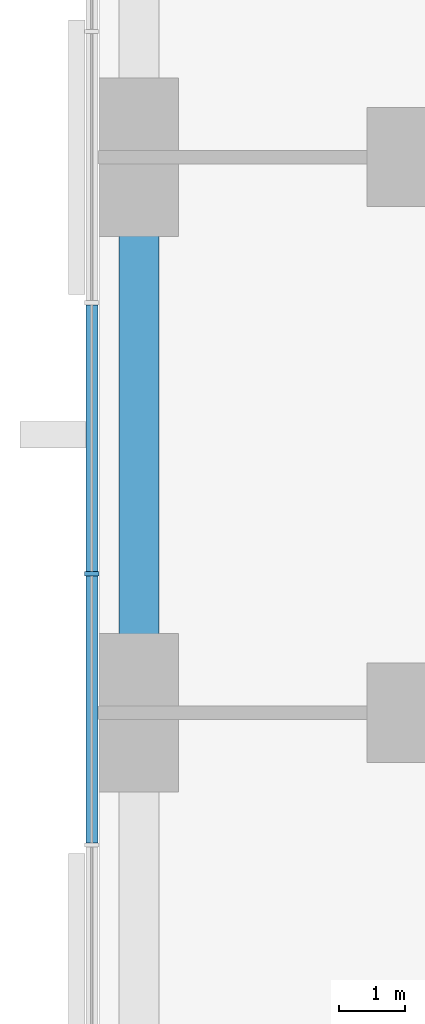
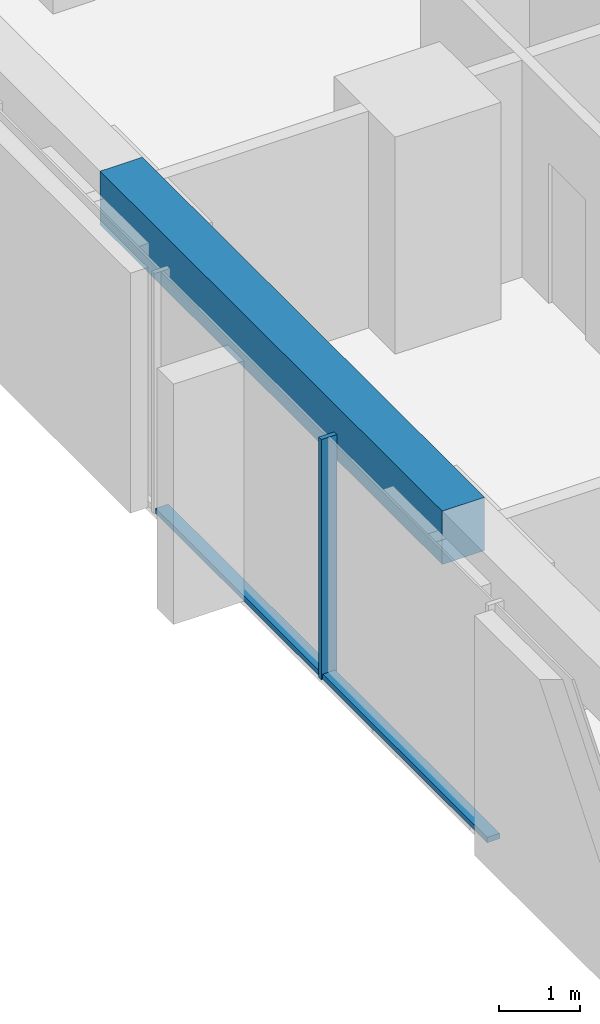
# One storey, part 3 of 14: 3 members, 1 beam, 1 element without a shape of its own.
"""IFC4 building model written with IfcOpenShell, lengths in metres."""

from ifc_helpers import new_model, si_unit, direction, frame, origin, origin_2d, place, context, subcontext, project, spatial, rectangle, extrude, material, material_profile, profile_set, type_object, element, aggregate, save


model = new_model("IFC4")

# Units and contexts
model_context = context("Model", 3, precision=1e-05, world=origin(), true_north=direction((0.0, 1.0)))
body_context = subcontext(model_context, "Body", "Model", "MODEL_VIEW")
ifc_project = project(units=[si_unit("LENGTHUNIT", "METRE"), si_unit("AREAUNIT", "SQUARE_METRE"), si_unit("VOLUMEUNIT", "CUBIC_METRE"), si_unit("PLANEANGLEUNIT", "RADIAN"), si_unit("MASSUNIT", "GRAM", prefix="KILO")], contexts=[model_context])

# Site, building, storey
site_placement = place(None, origin())
site = spatial("IfcSite", under=ifc_project, at=site_placement, CompositionType="ELEMENT")
building_placement = place(site_placement, origin())
building = spatial("IfcBuilding", under=site, at=building_placement, Name="Dunama Terrace Hotel", CompositionType="ELEMENT")
storey_placement = place(building_placement, frame((0.0, 0.0, 122.39990234375)))
storey = spatial("IfcBuildingStorey", under=building, at=storey_placement, Name="L31", CompositionType="ELEMENT", Elevation=122.39990234375)

# Curtain wall, members
ifc_material_1 = material(Name="Aluminium curtain wall system", Category="aluminium")
curtain_wall_type = type_object("IfcCurtainWallType", Name="Unitised fritted glass wall CW-B", PredefinedType="NOTDEFINED", material=ifc_material_1)
curtain_wall_placement = place(storey_placement, origin())
curtain_wall = element("IfcCurtainWall", 1, at=curtain_wall_placement, inside=storey, type_object=curtain_wall_type, Name="Unitised fritted glass wall CW-B L31", PredefinedType="NOTDEFINED")
ifc_material_2 = material(Name="Aluminium mullion", Category="aluminium")
ifc_material_profile_1 = material_profile(ifc_material_2, rectangle(XDim=0.06494140625, YDim=0.219970703125, at=origin_2d()), Name="CWB MULLION 65X220")
ifc_profile_set_1 = profile_set([ifc_material_profile_1], Name="Aluminium mullion")
member_type_1 = type_object("IfcMemberType", Name="CWB mullion 65x220", PredefinedType="MULLION", material=ifc_profile_set_1)
member_1_placement = place(storey_placement, frame((-0.110107421875, 27.300048828125, 0.0), z_axis=(0.0, 0.0, 1.0), x_axis=(0.0, -1.0, 0.0)))
member_1 = element("IfcMember", 2, at=member_1_placement, type_object=member_type_1, Name="CWB mullion", PredefinedType="MULLION", context=body_context, shape_type="SweptSolid", body=[
    extrude(rectangle(XDim=0.06494140625, YDim=0.219970703125, at=origin_2d()), origin(), (0.0, 0.0, 1.0), 3.60009765625),
])
ifc_material_3 = material(Name="Aluminium transom", Category="aluminium")
ifc_material_profile_2 = material_profile(ifc_material_3, rectangle(XDim=0.179931640625, YDim=0.080078125, at=origin_2d()), Name="CWB TRANSOM 180X80")
ifc_profile_set_2 = profile_set([ifc_material_profile_2], Name="Aluminium transom")
member_type_2 = type_object("IfcMemberType", Name="CWB transom 180x80", PredefinedType="USERDEFINED", material=ifc_profile_set_2)
member_2_placement = place(storey_placement, frame((-0.110107421875, 31.366943359375, 0.0400390625), z_axis=(0.0, -1.0, 0.0), x_axis=(1.0, 0.0, 0.0)))
member_2 = element("IfcMember", 3, at=member_2_placement, type_object=member_type_2, Name="CWB transom", ObjectType="TRANSOM", PredefinedType="USERDEFINED", context=body_context, shape_type="SweptSolid", body=[
    extrude(rectangle(XDim=0.179931640625, YDim=0.080078125, at=origin_2d()), origin(), (0.0, 0.0, 1.0), 4.034912109375),
])
member_3_placement = place(storey_placement, frame((-0.110107421875, 27.26806640625, 0.0400390625), z_axis=(0.0, -1.0, 0.0), x_axis=(1.0, 0.0, 0.0)))
member_3 = element("IfcMember", 4, at=member_3_placement, type_object=member_type_2, Name="CWB transom", ObjectType="TRANSOM", PredefinedType="USERDEFINED", context=body_context, shape_type="SweptSolid", body=[
    extrude(rectangle(XDim=0.179931640625, YDim=0.080078125, at=origin_2d()), origin(), (0.0, 0.0, 1.0), 4.03515625),
])
aggregate(curtain_wall, [member_1, member_2, member_3])

# Beam
ifc_material_4 = material(Name="Concrete C40/50", Category="concrete")
ifc_material_profile_3 = material_profile(ifc_material_4, rectangle(XDim=0.60009765625, YDim=0.800048828125, at=origin_2d()), Name="RC 600x800")
ifc_profile_set_3 = profile_set([ifc_material_profile_3], Name="Concrete C40/50")
beam_type = type_object("IfcBeamType", Name="Edge beam RC 600x800", PredefinedType="SPANDREL", material=ifc_profile_set_3)
beam_placement = place(storey_placement, frame((0.60009765625, 25.199951171875, 3.2001953125), z_axis=(0.0, 1.0, 0.0), x_axis=(-1.0, 0.0, 0.0)))
element("IfcBeam", 5, at=beam_placement, inside=storey, type_object=beam_type, Name="Edge beam under L32", PredefinedType="SPANDREL", context=body_context, shape_type="SweptSolid", body=[
    extrude(rectangle(XDim=0.60009765625, YDim=0.800048828125, at=origin_2d()), origin(), (0.0, 0.0, 1.0), 8.400146484375),
])

save(model, "model.ifc")
